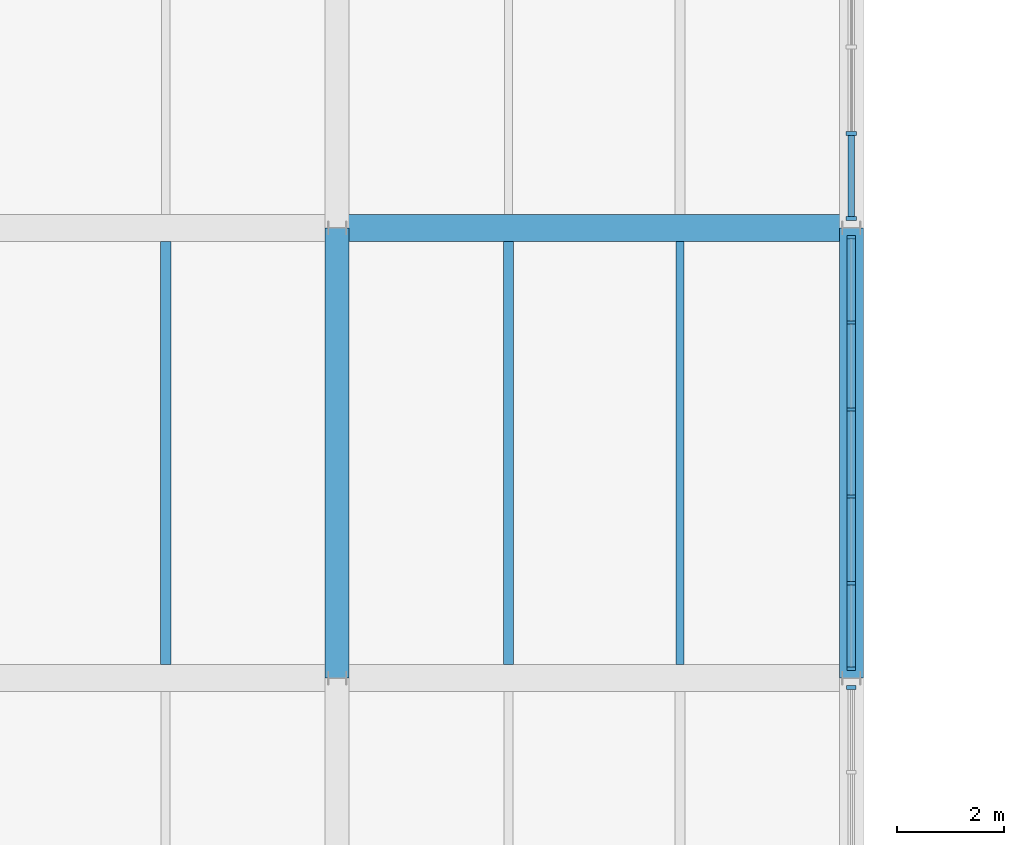
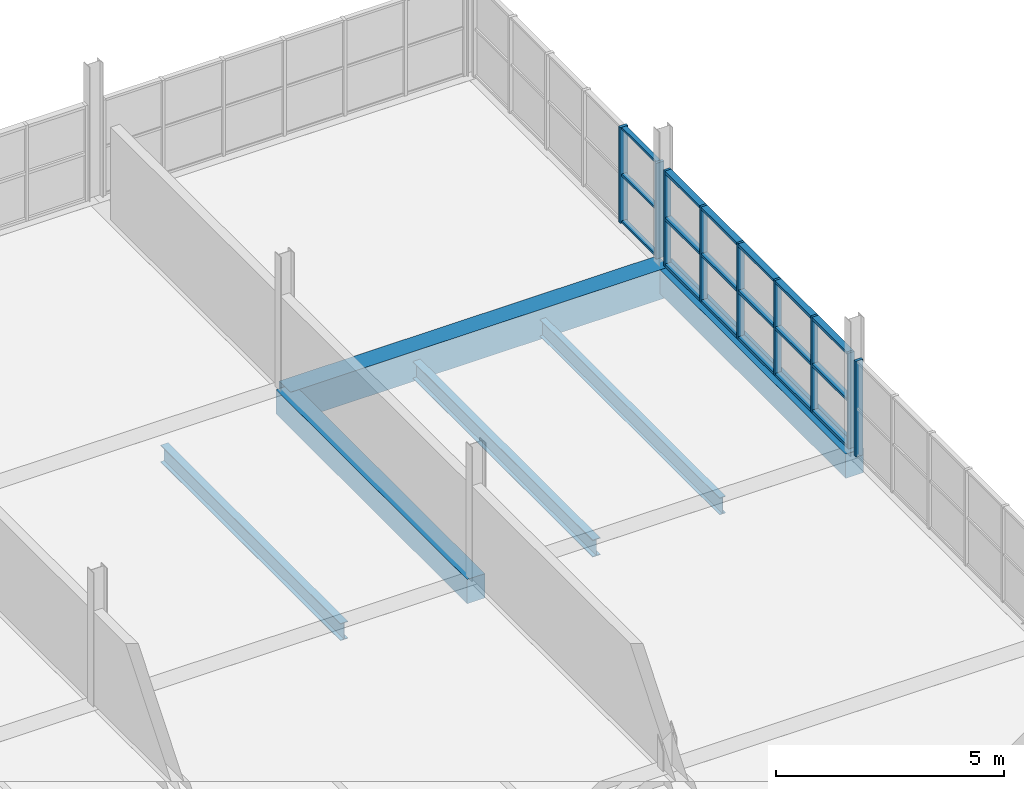
# One storey, part 48 of 147: 27 members, 6 beams, 3 elements without a shape of their own.
"""IFC4 building model written with IfcOpenShell, lengths in metres."""

from ifc_helpers import new_model, si_unit, direction, frame, origin, origin_2d, place, context, subcontext, project, spatial, rectangle, i_section, extrude, material, material_profile, profile_set, type_object, element, aggregate, save


model = new_model("IFC4")

# Units and contexts
model_context = context("Model", 3, precision=1e-05, world=origin(), true_north=direction((0.0, 1.0)))
body_context = subcontext(model_context, "Body", "Model", "MODEL_VIEW")
ifc_project = project(units=[si_unit("LENGTHUNIT", "METRE"), si_unit("AREAUNIT", "SQUARE_METRE"), si_unit("VOLUMEUNIT", "CUBIC_METRE"), si_unit("PLANEANGLEUNIT", "RADIAN"), si_unit("MASSUNIT", "GRAM", prefix="KILO")], contexts=[model_context])

# Site, building, storey
site_placement = place(None, origin())
site = spatial("IfcSite", under=ifc_project, at=site_placement, CompositionType="ELEMENT")
building_placement = place(site_placement, origin())
building = spatial("IfcBuilding", under=site, at=building_placement, Name="Oolite Switchyard Hospital", CompositionType="ELEMENT")
storey_placement = place(building_placement, frame((0.0, 0.0, 9.89990234375)))
storey = spatial("IfcBuildingStorey", under=building, at=storey_placement, Name="L02", CompositionType="ELEMENT", Elevation=9.89990234375)

# Beams
ifc_material_1 = material(Name="Concrete C40/50", Category="concrete")
ifc_material_profile_1 = material_profile(ifc_material_1, rectangle(XDim=0.449951171875, YDim=0.64990234375, at=origin_2d()), Name="RCB450X650")
ifc_profile_set_1 = profile_set([ifc_material_profile_1], Name="Concrete C40/50")
beam_type_1 = type_object("IfcBeamType", Name="BM-RC450X650", PredefinedType="BEAM", material=ifc_profile_set_1)
for number, where, z_axis, x_axis, name in (
    (1, (67.199951171875, 117.60009765625, -0.324951171875), (0.0, 1.0, 0.0), (-1.0, 0.0, 0.0), "L02 Y-Girder 1365"),
    (2, (76.800048828125, 117.60009765625, -0.324951171875), (0.0, 1.0, 0.0), (-1.0, 0.0, 0.0), "L02 Y-Girder 1371"),
):
    element("IfcBeam", number, at=place(storey_placement, frame(where, z_axis=z_axis, x_axis=x_axis)), inside=storey, type_object=beam_type_1, Name=name, PredefinedType="BEAM", context=body_context, shape_type="SweptSolid", body=[
        extrude(rectangle(XDim=0.449951171875, YDim=0.64990234375, at=origin_2d()), origin(), (0.0, 0.0, 1.0), 8.39990234375),
    ])
ifc_material_profile_2 = material_profile(ifc_material_1, rectangle(XDim=0.5, YDim=0.800048828125, at=origin_2d()), Name="RCB500X800")
ifc_profile_set_2 = profile_set([ifc_material_profile_2], Name="Concrete C40/50")
beam_type_2 = type_object("IfcBeamType", Name="BM-RC500X800", PredefinedType="BEAM", material=ifc_profile_set_2)
beam_1_placement = place(storey_placement, frame((67.199951171875, 126.0, -0.39990234375), z_axis=(1.0, 0.0, 0.0), x_axis=(0.0, 1.0, 0.0)))
element("IfcBeam", 3, at=beam_1_placement, inside=storey, type_object=beam_type_2, Name="L02 X-Girder 1226", PredefinedType="BEAM", context=body_context, shape_type="SweptSolid", body=[
    extrude(rectangle(XDim=0.5, YDim=0.800048828125, at=origin_2d()), origin(), (0.0, 0.0, 1.0), 9.60009765625),
])
ifc_material_2 = material(Name="Steel ASTM A992 Grade 50", Category="steel")
ifc_material_profile_3 = material_profile(ifc_material_2, i_section(OverallWidth=0.153076171875, OverallDepth=0.455078125, WebThickness=0.008056640625, FlangeThickness=0.012939453125, at=origin_2d()), Name="W18X40")
ifc_profile_set_3 = profile_set([ifc_material_profile_3], Name="Steel ASTM A992 Grade 50")
beam_type_3 = type_object("IfcBeamType", Name="BM-W18X40", PredefinedType="JOIST", material=ifc_profile_set_3)
beam_2_placement = place(storey_placement, frame((73.60009765625, 117.85009765625, -0.48681640625), z_axis=(0.0, 1.0, 0.0), x_axis=(-1.0, 0.0, 0.0)))
element("IfcBeam", 4, at=beam_2_placement, inside=storey, type_object=beam_type_3, Name="L02 Secondary Steel Joist 1707", PredefinedType="JOIST", context=body_context, shape_type="SweptSolid", body=[
    extrude(i_section(OverallWidth=0.153076171875, OverallDepth=0.455078125, WebThickness=0.008056640625, FlangeThickness=0.012939453125, at=origin_2d()), origin(), (0.0, 0.0, 1.0), 7.89990234375),
])
ifc_material_profile_4 = material_profile(ifc_material_2, i_section(OverallWidth=0.19091796875, OverallDepth=0.4599609375, WebThickness=0.010009765625, FlangeThickness=0.01611328125, at=origin_2d()), Name="W18X55")
ifc_profile_set_4 = profile_set([ifc_material_profile_4], Name="Steel ASTM A992 Grade 50")
beam_type_4 = type_object("IfcBeamType", Name="BM-W18X55", PredefinedType="JOIST", material=ifc_profile_set_4)
for number, where, z_axis, x_axis, name in (
    (5, (64.0, 117.85009765625, -0.489990234375), (0.0, 1.0, 0.0), (-1.0, 0.0, 0.0), "L02 Secondary Steel Joist 1695"),
    (6, (70.39990234375, 117.85009765625, -0.489990234375), (0.0, 1.0, 0.0), (-1.0, 0.0, 0.0), "L02 Secondary Steel Joist 1706"),
):
    element("IfcBeam", number, at=place(storey_placement, frame(where, z_axis=z_axis, x_axis=x_axis)), inside=storey, type_object=beam_type_4, Name=name, PredefinedType="JOIST", context=body_context, shape_type="SweptSolid", body=[
        extrude(i_section(OverallWidth=0.19091796875, OverallDepth=0.4599609375, WebThickness=0.010009765625, FlangeThickness=0.01611328125, at=origin_2d()), origin(), (0.0, 0.0, 1.0), 7.89990234375),
    ])

# Curtain wall, members
ifc_material_3 = material(Name="Thermally broken aluminum frame with laminated impact glazing", Category="aluminium")
curtain_wall_type = type_object("IfcCurtainWallType", Name="CW-UNIT-84X36", PredefinedType="USERDEFINED", material=ifc_material_3)
curtain_wall_1_placement = place(storey_placement, origin())
curtain_wall_1 = element("IfcCurtainWall", 7, at=curtain_wall_1_placement, inside=storey, type_object=curtain_wall_type, Name="L02 Unitised Curtain Wall 289", ObjectType="UNITISED", PredefinedType="USERDEFINED")
ifc_material_4 = material(Name="Aluminium 6063-T6", Category="aluminium")
ifc_material_profile_5 = material_profile(ifc_material_4, rectangle(XDim=0.159912109375, YDim=0.06005859375, at=origin_2d()), Name="CWM60X160")
ifc_profile_set_5 = profile_set([ifc_material_profile_5], Name="Aluminium 6063-T6")
member_type_1 = type_object("IfcMemberType", Name="CW-MUL-180", PredefinedType="MULLION", material=ifc_profile_set_5)
member_1_placement = place(storey_placement, frame((76.800048828125, 125.827880859375, 0.0), z_axis=(0.0, 0.0, 1.0), x_axis=(1.0, 0.0, 0.0)))
member_1 = element("IfcMember", 8, at=member_1_placement, type_object=member_type_1, Name="CW-08 mullion 1", PredefinedType="MULLION", context=body_context, shape_type="SweptSolid", body=[
    extrude(rectangle(XDim=0.159912109375, YDim=0.06005859375, at=origin_2d()), origin(), (0.0, 0.0, 1.0), 2.570068359375),
])
member_2_placement = place(storey_placement, frame((76.800048828125, 124.23486328125, 0.0), z_axis=(0.0, 0.0, 1.0), x_axis=(1.0, 0.0, 0.0)))
member_2 = element("IfcMember", 9, at=member_2_placement, type_object=member_type_1, Name="CW-08 mullion 2", PredefinedType="MULLION", context=body_context, shape_type="SweptSolid", body=[
    extrude(rectangle(XDim=0.159912109375, YDim=0.06005859375, at=origin_2d()), origin(), (0.0, 0.0, 1.0), 2.570068359375),
])
member_3_placement = place(storey_placement, frame((76.800048828125, 122.611572265625, 0.0), z_axis=(0.0, 0.0, 1.0), x_axis=(1.0, 0.0, 0.0)))
member_3 = element("IfcMember", 10, at=member_3_placement, type_object=member_type_1, Name="CW-08 mullion 3", PredefinedType="MULLION", context=body_context, shape_type="SweptSolid", body=[
    extrude(rectangle(XDim=0.159912109375, YDim=0.06005859375, at=origin_2d()), origin(), (0.0, 0.0, 1.0), 2.570068359375),
])
member_4_placement = place(storey_placement, frame((76.800048828125, 120.98828125, 0.0), z_axis=(0.0, 0.0, 1.0), x_axis=(1.0, 0.0, 0.0)))
member_4 = element("IfcMember", 11, at=member_4_placement, type_object=member_type_1, Name="CW-08 mullion 4", PredefinedType="MULLION", context=body_context, shape_type="SweptSolid", body=[
    extrude(rectangle(XDim=0.159912109375, YDim=0.06005859375, at=origin_2d()), origin(), (0.0, 0.0, 1.0), 2.570068359375),
])
member_5_placement = place(storey_placement, frame((76.800048828125, 119.365234375, 0.0), z_axis=(0.0, 0.0, 1.0), x_axis=(1.0, 0.0, 0.0)))
member_5 = element("IfcMember", 12, at=member_5_placement, type_object=member_type_1, Name="CW-08 mullion 5", PredefinedType="MULLION", context=body_context, shape_type="SweptSolid", body=[
    extrude(rectangle(XDim=0.159912109375, YDim=0.06005859375, at=origin_2d()), origin(), (0.0, 0.0, 1.0), 2.570068359375),
])
member_6_placement = place(storey_placement, frame((76.800048828125, 117.77197265625, 0.0), z_axis=(0.0, 0.0, 1.0), x_axis=(1.0, 0.0, 0.0)))
member_6 = element("IfcMember", 13, at=member_6_placement, type_object=member_type_1, Name="CW-08 mullion 6", PredefinedType="MULLION", context=body_context, shape_type="SweptSolid", body=[
    extrude(rectangle(XDim=0.159912109375, YDim=0.06005859375, at=origin_2d()), origin(), (0.0, 0.0, 1.0), 2.570068359375),
])

# Curtain wall, member
curtain_wall_2_placement = place(storey_placement, origin())
curtain_wall_2 = element("IfcCurtainWall", 14, at=curtain_wall_2_placement, inside=storey, type_object=curtain_wall_type, Name="L02 Unitised Curtain Wall 290", ObjectType="UNITISED", PredefinedType="USERDEFINED")
ifc_material_profile_6 = material_profile(ifc_material_4, rectangle(XDim=0.179931640625, YDim=0.070068359375, at=origin_2d()), Name="CWM70X180")
ifc_profile_set_6 = profile_set([ifc_material_profile_6], Name="Aluminium 6063-T6")
member_type_2 = type_object("IfcMemberType", Name="CW-MUL-220", PredefinedType="MULLION", material=ifc_profile_set_6)
member_7_placement = place(storey_placement, frame((76.800048828125, 117.423095703125, 0.0), z_axis=(0.0, 0.0, 1.0), x_axis=(1.0, 0.0, 0.0)))
member_7 = element("IfcMember", 15, at=member_7_placement, type_object=member_type_2, Name="CW-08 mullion 1", PredefinedType="MULLION", context=body_context, shape_type="SweptSolid", body=[
    extrude(rectangle(XDim=0.179931640625, YDim=0.070068359375, at=origin_2d()), origin(), (0.0, 0.0, 1.0), 2.570068359375),
])
aggregate(curtain_wall_2, [member_7])

# Curtain wall, members
curtain_wall_3_placement = place(storey_placement, origin())
curtain_wall_3 = element("IfcCurtainWall", 16, at=curtain_wall_3_placement, inside=storey, type_object=curtain_wall_type, Name="L02 Unitised Curtain Wall 288", ObjectType="UNITISED", PredefinedType="USERDEFINED")
ifc_material_profile_7 = material_profile(ifc_material_4, rectangle(XDim=0.199951171875, YDim=0.074951171875, at=origin_2d()), Name="CWM75X200")
ifc_profile_set_7 = profile_set([ifc_material_profile_7], Name="Aluminium 6063-T6")
member_type_3 = type_object("IfcMemberType", Name="CW-MUL-260", PredefinedType="MULLION", material=ifc_profile_set_7)
member_8_placement = place(storey_placement, frame((76.800048828125, 127.76171875, 0.0), z_axis=(0.0, 0.0, 1.0), x_axis=(1.0, 0.0, 0.0)))
member_8 = element("IfcMember", 17, at=member_8_placement, type_object=member_type_3, Name="CW-08 mullion 5", PredefinedType="MULLION", context=body_context, shape_type="SweptSolid", body=[
    extrude(rectangle(XDim=0.199951171875, YDim=0.074951171875, at=origin_2d()), origin(), (0.0, 0.0, 1.0), 2.570068359375),
])
member_9_placement = place(storey_placement, frame((76.800048828125, 126.179443359375, 0.0), z_axis=(0.0, 0.0, 1.0), x_axis=(1.0, 0.0, 0.0)))
member_9 = element("IfcMember", 18, at=member_9_placement, type_object=member_type_3, Name="CW-08 mullion 6", PredefinedType="MULLION", context=body_context, shape_type="SweptSolid", body=[
    extrude(rectangle(XDim=0.199951171875, YDim=0.074951171875, at=origin_2d()), origin(), (0.0, 0.0, 1.0), 2.570068359375),
])
ifc_material_profile_8 = material_profile(ifc_material_4, rectangle(XDim=0.1201171875, YDim=0.06005859375, at=origin_2d()), Name="CWT60X120")
ifc_profile_set_8 = profile_set([ifc_material_profile_8], Name="Aluminium 6063-T6")
member_type_4 = type_object("IfcMemberType", Name="CW-TRN-150", PredefinedType="USERDEFINED", material=ifc_profile_set_8)
member_10_placement = place(storey_placement, frame((76.800048828125, 127.72412109375, 0.030029296875), z_axis=(0.0, -1.0, 0.0), x_axis=(1.0, 0.0, 0.0)))
member_10 = element("IfcMember", 19, at=member_10_placement, type_object=member_type_4, Name="CW-08 transom 5.1", ObjectType="TRANSOM", PredefinedType="USERDEFINED", context=body_context, shape_type="SweptSolid", body=[
    extrude(rectangle(XDim=0.1201171875, YDim=0.06005859375, at=origin_2d()), origin(), (0.0, 0.0, 1.0), 1.507080078125),
])
member_11_placement = place(storey_placement, frame((76.800048828125, 127.72412109375, 1.28515625), z_axis=(0.0, -1.0, 0.0), x_axis=(1.0, 0.0, 0.0)))
member_11 = element("IfcMember", 20, at=member_11_placement, type_object=member_type_4, Name="CW-08 transom 5.2", ObjectType="TRANSOM", PredefinedType="USERDEFINED", context=body_context, shape_type="SweptSolid", body=[
    extrude(rectangle(XDim=0.1201171875, YDim=0.06005859375, at=origin_2d()), origin(), (0.0, 0.0, 1.0), 1.507080078125),
])
member_12_placement = place(storey_placement, frame((76.800048828125, 127.72412109375, 2.5400390625), z_axis=(0.0, -1.0, 0.0), x_axis=(1.0, 0.0, 0.0)))
member_12 = element("IfcMember", 21, at=member_12_placement, type_object=member_type_4, Name="CW-08 transom 5.3", ObjectType="TRANSOM", PredefinedType="USERDEFINED", context=body_context, shape_type="SweptSolid", body=[
    extrude(rectangle(XDim=0.1201171875, YDim=0.06005859375, at=origin_2d()), origin(), (0.0, 0.0, 1.0), 1.507080078125),
])
aggregate(curtain_wall_3, [member_8, member_9, member_10, member_11, member_12])

# Member
ifc_material_profile_9 = material_profile(ifc_material_4, rectangle(XDim=0.159912109375, YDim=0.074951171875, at=origin_2d()), Name="CWT75X160")
ifc_profile_set_9 = profile_set([ifc_material_profile_9], Name="Aluminium 6063-T6")
member_type_5 = type_object("IfcMemberType", Name="CW-TRN-180", PredefinedType="USERDEFINED", material=ifc_profile_set_9)
member_13_placement = place(storey_placement, frame((76.800048828125, 125.798095703125, 0.03759765625), z_axis=(0.0, -1.0, 0.0), x_axis=(1.0, 0.0, 0.0)))
member_13 = element("IfcMember", 22, at=member_13_placement, type_object=member_type_5, Name="CW-08 transom 1.1", ObjectType="TRANSOM", PredefinedType="USERDEFINED", context=body_context, shape_type="SweptSolid", body=[
    extrude(rectangle(XDim=0.159912109375, YDim=0.074951171875, at=origin_2d()), origin(), (0.0, 0.0, 1.0), 1.533203125),
])

member_14_placement = place(storey_placement, frame((76.800048828125, 125.798095703125, 1.28515625), z_axis=(0.0, -1.0, 0.0), x_axis=(1.0, 0.0, 0.0)))
member_14 = element("IfcMember", 23, at=member_14_placement, type_object=member_type_5, Name="CW-08 transom 1.2", ObjectType="TRANSOM", PredefinedType="USERDEFINED", context=body_context, shape_type="SweptSolid", body=[
    extrude(rectangle(XDim=0.159912109375, YDim=0.074951171875, at=origin_2d()), origin(), (0.0, 0.0, 1.0), 1.533203125),
])

member_15_placement = place(storey_placement, frame((76.800048828125, 125.798095703125, 2.53271484375), z_axis=(0.0, -1.0, 0.0), x_axis=(1.0, 0.0, 0.0)))
member_15 = element("IfcMember", 24, at=member_15_placement, type_object=member_type_5, Name="CW-08 transom 1.3", ObjectType="TRANSOM", PredefinedType="USERDEFINED", context=body_context, shape_type="SweptSolid", body=[
    extrude(rectangle(XDim=0.159912109375, YDim=0.074951171875, at=origin_2d()), origin(), (0.0, 0.0, 1.0), 1.533203125),
])

member_16_placement = place(storey_placement, frame((76.800048828125, 124.204833984375, 0.03759765625), z_axis=(0.0, -1.0, 0.0), x_axis=(1.0, 0.0, 0.0)))
member_16 = element("IfcMember", 25, at=member_16_placement, type_object=member_type_5, Name="CW-08 transom 2.1", ObjectType="TRANSOM", PredefinedType="USERDEFINED", context=body_context, shape_type="SweptSolid", body=[
    extrude(rectangle(XDim=0.159912109375, YDim=0.074951171875, at=origin_2d()), origin(), (0.0, 0.0, 1.0), 1.563232421875),
])

member_17_placement = place(storey_placement, frame((76.800048828125, 124.204833984375, 1.28515625), z_axis=(0.0, -1.0, 0.0), x_axis=(1.0, 0.0, 0.0)))
member_17 = element("IfcMember", 26, at=member_17_placement, type_object=member_type_5, Name="CW-08 transom 2.2", ObjectType="TRANSOM", PredefinedType="USERDEFINED", context=body_context, shape_type="SweptSolid", body=[
    extrude(rectangle(XDim=0.159912109375, YDim=0.074951171875, at=origin_2d()), origin(), (0.0, 0.0, 1.0), 1.563232421875),
])

member_18_placement = place(storey_placement, frame((76.800048828125, 124.204833984375, 2.53271484375), z_axis=(0.0, -1.0, 0.0), x_axis=(1.0, 0.0, 0.0)))
member_18 = element("IfcMember", 27, at=member_18_placement, type_object=member_type_5, Name="CW-08 transom 2.3", ObjectType="TRANSOM", PredefinedType="USERDEFINED", context=body_context, shape_type="SweptSolid", body=[
    extrude(rectangle(XDim=0.159912109375, YDim=0.074951171875, at=origin_2d()), origin(), (0.0, 0.0, 1.0), 1.563232421875),
])

member_19_placement = place(storey_placement, frame((76.800048828125, 122.58154296875, 0.03759765625), z_axis=(0.0, -1.0, 0.0), x_axis=(1.0, 0.0, 0.0)))
member_19 = element("IfcMember", 28, at=member_19_placement, type_object=member_type_5, Name="CW-08 transom 3.1", ObjectType="TRANSOM", PredefinedType="USERDEFINED", context=body_context, shape_type="SweptSolid", body=[
    extrude(rectangle(XDim=0.159912109375, YDim=0.074951171875, at=origin_2d()), origin(), (0.0, 0.0, 1.0), 1.563232421875),
])

member_20_placement = place(storey_placement, frame((76.800048828125, 122.58154296875, 1.28515625), z_axis=(0.0, -1.0, 0.0), x_axis=(1.0, 0.0, 0.0)))
member_20 = element("IfcMember", 29, at=member_20_placement, type_object=member_type_5, Name="CW-08 transom 3.2", ObjectType="TRANSOM", PredefinedType="USERDEFINED", context=body_context, shape_type="SweptSolid", body=[
    extrude(rectangle(XDim=0.159912109375, YDim=0.074951171875, at=origin_2d()), origin(), (0.0, 0.0, 1.0), 1.563232421875),
])

member_21_placement = place(storey_placement, frame((76.800048828125, 122.58154296875, 2.53271484375), z_axis=(0.0, -1.0, 0.0), x_axis=(1.0, 0.0, 0.0)))
member_21 = element("IfcMember", 30, at=member_21_placement, type_object=member_type_5, Name="CW-08 transom 3.3", ObjectType="TRANSOM", PredefinedType="USERDEFINED", context=body_context, shape_type="SweptSolid", body=[
    extrude(rectangle(XDim=0.159912109375, YDim=0.074951171875, at=origin_2d()), origin(), (0.0, 0.0, 1.0), 1.563232421875),
])

member_22_placement = place(storey_placement, frame((76.800048828125, 120.95849609375, 0.03759765625), z_axis=(0.0, -1.0, 0.0), x_axis=(1.0, 0.0, 0.0)))
member_22 = element("IfcMember", 31, at=member_22_placement, type_object=member_type_5, Name="CW-08 transom 4.1", ObjectType="TRANSOM", PredefinedType="USERDEFINED", context=body_context, shape_type="SweptSolid", body=[
    extrude(rectangle(XDim=0.159912109375, YDim=0.074951171875, at=origin_2d()), origin(), (0.0, 0.0, 1.0), 1.563232421875),
])

member_23_placement = place(storey_placement, frame((76.800048828125, 120.95849609375, 1.28515625), z_axis=(0.0, -1.0, 0.0), x_axis=(1.0, 0.0, 0.0)))
member_23 = element("IfcMember", 32, at=member_23_placement, type_object=member_type_5, Name="CW-08 transom 4.2", ObjectType="TRANSOM", PredefinedType="USERDEFINED", context=body_context, shape_type="SweptSolid", body=[
    extrude(rectangle(XDim=0.159912109375, YDim=0.074951171875, at=origin_2d()), origin(), (0.0, 0.0, 1.0), 1.563232421875),
])

member_24_placement = place(storey_placement, frame((76.800048828125, 120.95849609375, 2.53271484375), z_axis=(0.0, -1.0, 0.0), x_axis=(1.0, 0.0, 0.0)))
member_24 = element("IfcMember", 33, at=member_24_placement, type_object=member_type_5, Name="CW-08 transom 4.3", ObjectType="TRANSOM", PredefinedType="USERDEFINED", context=body_context, shape_type="SweptSolid", body=[
    extrude(rectangle(XDim=0.159912109375, YDim=0.074951171875, at=origin_2d()), origin(), (0.0, 0.0, 1.0), 1.563232421875),
])

member_25_placement = place(storey_placement, frame((76.800048828125, 119.335205078125, 0.03759765625), z_axis=(0.0, -1.0, 0.0), x_axis=(1.0, 0.0, 0.0)))
member_25 = element("IfcMember", 34, at=member_25_placement, type_object=member_type_5, Name="CW-08 transom 5.1", ObjectType="TRANSOM", PredefinedType="USERDEFINED", context=body_context, shape_type="SweptSolid", body=[
    extrude(rectangle(XDim=0.159912109375, YDim=0.074951171875, at=origin_2d()), origin(), (0.0, 0.0, 1.0), 1.533203125),
])

member_26_placement = place(storey_placement, frame((76.800048828125, 119.335205078125, 1.28515625), z_axis=(0.0, -1.0, 0.0), x_axis=(1.0, 0.0, 0.0)))
member_26 = element("IfcMember", 35, at=member_26_placement, type_object=member_type_5, Name="CW-08 transom 5.2", ObjectType="TRANSOM", PredefinedType="USERDEFINED", context=body_context, shape_type="SweptSolid", body=[
    extrude(rectangle(XDim=0.159912109375, YDim=0.074951171875, at=origin_2d()), origin(), (0.0, 0.0, 1.0), 1.533203125),
])

member_27_placement = place(storey_placement, frame((76.800048828125, 119.335205078125, 2.53271484375), z_axis=(0.0, -1.0, 0.0), x_axis=(1.0, 0.0, 0.0)))
member_27 = element("IfcMember", 36, at=member_27_placement, type_object=member_type_5, Name="CW-08 transom 5.3", ObjectType="TRANSOM", PredefinedType="USERDEFINED", context=body_context, shape_type="SweptSolid", body=[
    extrude(rectangle(XDim=0.159912109375, YDim=0.074951171875, at=origin_2d()), origin(), (0.0, 0.0, 1.0), 1.533203125),
])

aggregate(curtain_wall_1, [member_1, member_2, member_3, member_4, member_5, member_6, member_13, member_14, member_15, member_16, member_17, member_18, member_19, member_20, member_21, member_22, member_23, member_24, member_25, member_26, member_27])

save(model, "model.ifc")
